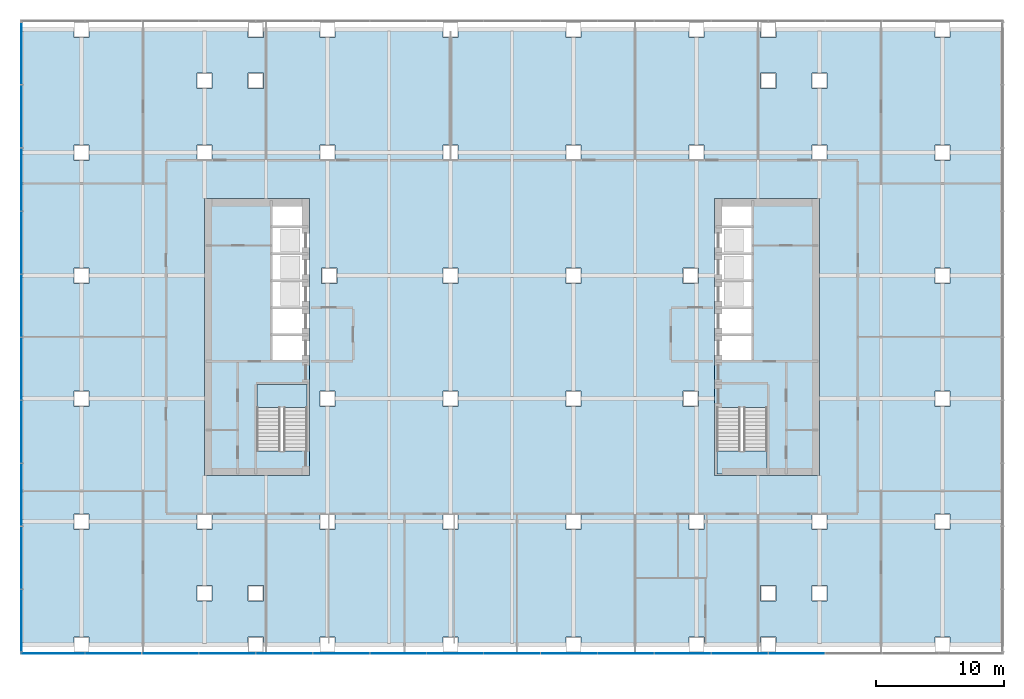
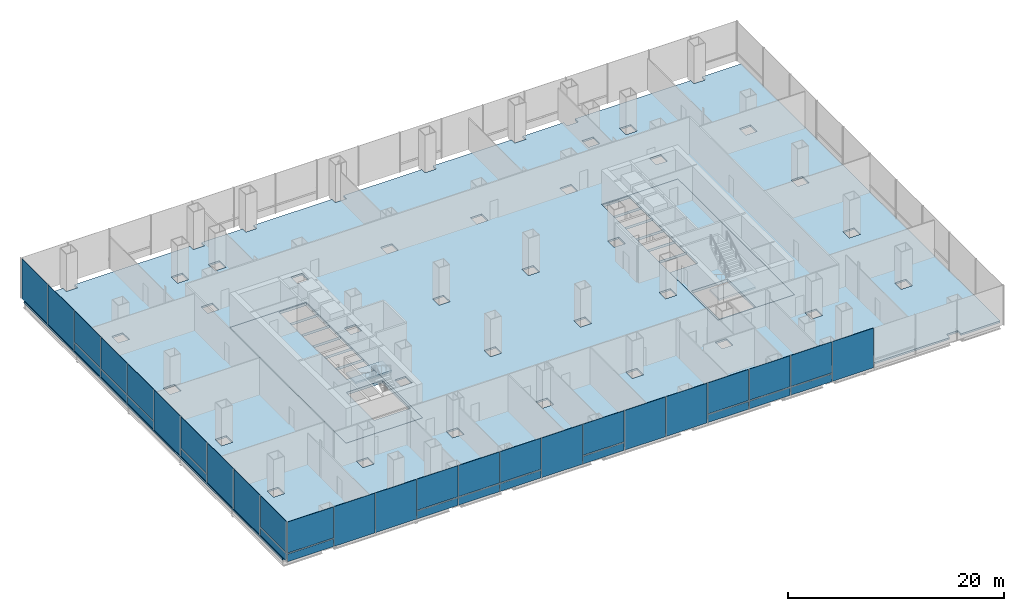
# One storey, part 14 of 23: 37 plates, 5 slabs, 4 elements without a shape of their own.
"""IFC4 building model written with IfcOpenShell, lengths in metres."""

from ifc_helpers import new_model, si_unit, direction, frame, origin, origin_2d, place, context, subcontext, project, spatial, polyline, rectangle, outline, extrude, material, layer, layer_set, type_object, element, aggregate, save


model = new_model("IFC4")

# Units and contexts
model_context = context("Model", 3, precision=1e-05, world=origin(), true_north=direction((0.0, 1.0)))
body_context = subcontext(model_context, "Body", "Model", "MODEL_VIEW")
ifc_project = project(units=[si_unit("LENGTHUNIT", "METRE"), si_unit("AREAUNIT", "SQUARE_METRE"), si_unit("VOLUMEUNIT", "CUBIC_METRE"), si_unit("PLANEANGLEUNIT", "RADIAN"), si_unit("MASSUNIT", "GRAM", prefix="KILO")], contexts=[model_context])

# Site, building, storey
site_placement = place(None, origin())
site = spatial("IfcSite", under=ifc_project, at=site_placement, CompositionType="ELEMENT")
building_placement = place(site_placement, origin())
building = spatial("IfcBuilding", under=site, at=building_placement, Name="Cobrizo Arcos Hotel Tower", CompositionType="ELEMENT")
storey_placement = place(building_placement, frame((0.0, 0.0, 29.0)))
storey = spatial("IfcBuildingStorey", under=building, at=storey_placement, Name="L05", CompositionType="ELEMENT", Elevation=29.0)

# Curtain wall, plates
ifc_material_1 = material(Name="Aluminium 6063-T6 anodised bronze", Category="aluminium")
curtain_wall_type_1 = type_object("IfcCurtainWallType", Name="CW-A guest facade", PredefinedType="NOTDEFINED", material=ifc_material_1)
curtain_wall_1_placement = place(storey_placement, origin())
curtain_wall_1 = element("IfcCurtainWall", 1, at=curtain_wall_1_placement, inside=storey, type_object=curtain_wall_type_1, Name="CW-A L05 S face", PredefinedType="NOTDEFINED")
ifc_material_2 = material(Name="Glass clear laminated low-e", Category="glass")
ifc_layer_1 = layer(ifc_material_2, 0.0400390625)
ifc_layer_set_1 = layer_set([ifc_layer_1], Name="CW-A glass panel")
plate_type_1 = type_object("IfcPlateType", Name="CW-A glass panel", PredefinedType="CURTAIN_PANEL", material=ifc_layer_set_1)
plate_1_placement = place(storey_placement, frame((-35.839111328125, -24.675048828125, 0.990234375), z_axis=(0.0, 0.0, 1.0), x_axis=(1.0, 0.0, 0.0)))
plate_1 = element("IfcPlate", 2, at=plate_1_placement, type_object=plate_type_1, Name="CW-A glass panel 306", PredefinedType="CURTAIN_PANEL", context=body_context, shape_type="SweptSolid", body=[
    extrude(rectangle(XDim=4.95166015625, YDim=0.0400390625, at=origin_2d()), origin(), (0.0, 0.0, 1.0), 3.510009765625),
])
plate_2_placement = place(storey_placement, frame((-22.22216796875, -24.675048828125, 0.990234375), z_axis=(0.0, 0.0, 1.0), x_axis=(1.0, 0.0, 0.0)))
plate_2 = element("IfcPlate", 3, at=plate_2_placement, type_object=plate_type_1, Name="CW-A glass panel 309", PredefinedType="CURTAIN_PANEL", context=body_context, shape_type="SweptSolid", body=[
    extrude(rectangle(XDim=4.384521484375, YDim=0.0400390625, at=origin_2d()), origin(), (0.0, 0.0, 1.0), 3.510009765625),
])
ifc_material_3 = material(Name="Aluminium composite panel pale metal", Category="aluminium")
ifc_layer_2 = layer(ifc_material_3, 0.0400390625)
ifc_layer_set_2 = layer_set([ifc_layer_2], Name="CW-A spandrel panel")
plate_type_2 = type_object("IfcPlateType", Name="CW-A spandrel panel", PredefinedType="CURTAIN_PANEL", material=ifc_layer_set_2)
plate_3_placement = place(storey_placement, frame((-35.839111328125, -24.675048828125, 0.0), z_axis=(0.0, 0.0, 1.0), x_axis=(1.0, 0.0, 0.0)))
plate_3 = element("IfcPlate", 4, at=plate_3_placement, type_object=plate_type_2, Name="CW-A spandrel panel 306", PredefinedType="CURTAIN_PANEL", context=body_context, shape_type="SweptSolid", body=[
    extrude(rectangle(XDim=4.95166015625, YDim=0.0400390625, at=origin_2d()), origin(), (0.0, 0.0, 1.0), 0.8701171875),
])
plate_4_placement = place(storey_placement, frame((-31.111083984375, -24.675048828125, 0.0), z_axis=(0.0, 0.0, 1.0), x_axis=(1.0, 0.0, 0.0)))
plate_4 = element("IfcPlate", 5, at=plate_4_placement, type_object=plate_type_2, Name="CW-A spandrel panel 307", PredefinedType="CURTAIN_PANEL", context=body_context, shape_type="SweptSolid", body=[
    extrude(rectangle(XDim=4.384521484375, YDim=0.0400390625, at=origin_2d()), origin(), (0.0, 0.0, 1.0), 4.5),
])
plate_5_placement = place(storey_placement, frame((-26.666748046875, -24.675048828125, 0.0), z_axis=(0.0, 0.0, 1.0), x_axis=(1.0, 0.0, 0.0)))
plate_5 = element("IfcPlate", 6, at=plate_5_placement, type_object=plate_type_2, Name="CW-A spandrel panel 308", PredefinedType="CURTAIN_PANEL", context=body_context, shape_type="SweptSolid", body=[
    extrude(rectangle(XDim=4.384521484375, YDim=0.0400390625, at=origin_2d()), origin(), (0.0, 0.0, 1.0), 4.5),
])
plate_6_placement = place(storey_placement, frame((-22.22216796875, -24.675048828125, 0.0), z_axis=(0.0, 0.0, 1.0), x_axis=(1.0, 0.0, 0.0)))
plate_6 = element("IfcPlate", 7, at=plate_6_placement, type_object=plate_type_2, Name="CW-A spandrel panel 309", PredefinedType="CURTAIN_PANEL", context=body_context, shape_type="SweptSolid", body=[
    extrude(rectangle(XDim=4.384521484375, YDim=0.0400390625, at=origin_2d()), origin(), (0.0, 0.0, 1.0), 0.8701171875),
])
plate_7_placement = place(storey_placement, frame((-17.77783203125, -24.675048828125, 0.0), z_axis=(0.0, 0.0, 1.0), x_axis=(1.0, 0.0, 0.0)))
plate_7 = element("IfcPlate", 8, at=plate_7_placement, type_object=plate_type_2, Name="CW-A spandrel panel 310", PredefinedType="CURTAIN_PANEL", context=body_context, shape_type="SweptSolid", body=[
    extrude(rectangle(XDim=4.384521484375, YDim=0.0400390625, at=origin_2d()), origin(), (0.0, 0.0, 1.0), 0.8701171875),
])
plate_8_placement = place(storey_placement, frame((-17.77783203125, -24.675048828125, 0.990234375), z_axis=(0.0, 0.0, 1.0), x_axis=(1.0, 0.0, 0.0)))
plate_8 = element("IfcPlate", 9, at=plate_8_placement, type_object=plate_type_2, Name="CW-A spandrel panel 310", PredefinedType="CURTAIN_PANEL", context=body_context, shape_type="SweptSolid", body=[
    extrude(rectangle(XDim=4.384521484375, YDim=0.0400390625, at=origin_2d()), origin(), (0.0, 0.0, 1.0), 3.510009765625),
])
plate_9_placement = place(storey_placement, frame((-13.333251953125, -24.675048828125, 0.0), z_axis=(0.0, 0.0, 1.0), x_axis=(1.0, 0.0, 0.0)))
plate_9 = element("IfcPlate", 10, at=plate_9_placement, type_object=plate_type_2, Name="CW-A spandrel panel 311", PredefinedType="CURTAIN_PANEL", context=body_context, shape_type="SweptSolid", body=[
    extrude(rectangle(XDim=4.384521484375, YDim=0.0400390625, at=origin_2d()), origin(), (0.0, 0.0, 1.0), 0.8701171875),
])
plate_10_placement = place(storey_placement, frame((-13.333251953125, -24.675048828125, 0.990234375), z_axis=(0.0, 0.0, 1.0), x_axis=(1.0, 0.0, 0.0)))
plate_10 = element("IfcPlate", 11, at=plate_10_placement, type_object=plate_type_2, Name="CW-A spandrel panel 311", PredefinedType="CURTAIN_PANEL", context=body_context, shape_type="SweptSolid", body=[
    extrude(rectangle(XDim=4.384521484375, YDim=0.0400390625, at=origin_2d()), origin(), (0.0, 0.0, 1.0), 3.510009765625),
])
plate_11_placement = place(storey_placement, frame((-8.888916015625, -24.675048828125, 0.0), z_axis=(0.0, 0.0, 1.0), x_axis=(1.0, 0.0, 0.0)))
plate_11 = element("IfcPlate", 12, at=plate_11_placement, type_object=plate_type_2, Name="CW-A spandrel panel 312", PredefinedType="CURTAIN_PANEL", context=body_context, shape_type="SweptSolid", body=[
    extrude(rectangle(XDim=4.384521484375, YDim=0.0400390625, at=origin_2d()), origin(), (0.0, 0.0, 1.0), 4.5),
])
plate_12_placement = place(storey_placement, frame((-4.4443359375, -24.675048828125, 0.0), z_axis=(0.0, 0.0, 1.0), x_axis=(1.0, 0.0, 0.0)))
plate_12 = element("IfcPlate", 13, at=plate_12_placement, type_object=plate_type_2, Name="CW-A spandrel panel 313", PredefinedType="CURTAIN_PANEL", context=body_context, shape_type="SweptSolid", body=[
    extrude(rectangle(XDim=4.384521484375, YDim=0.0400390625, at=origin_2d()), origin(), (0.0, 0.0, 1.0), 0.8701171875),
])
plate_13_placement = place(storey_placement, frame((-4.4443359375, -24.675048828125, 0.990234375), z_axis=(0.0, 0.0, 1.0), x_axis=(1.0, 0.0, 0.0)))
plate_13 = element("IfcPlate", 14, at=plate_13_placement, type_object=plate_type_2, Name="CW-A spandrel panel 313", PredefinedType="CURTAIN_PANEL", context=body_context, shape_type="SweptSolid", body=[
    extrude(rectangle(XDim=4.384521484375, YDim=0.0400390625, at=origin_2d()), origin(), (0.0, 0.0, 1.0), 3.510009765625),
])
plate_14_placement = place(storey_placement, frame((0.0, -24.675048828125, 0.0), z_axis=(0.0, 0.0, 1.0), x_axis=(1.0, 0.0, 0.0)))
plate_14 = element("IfcPlate", 15, at=plate_14_placement, type_object=plate_type_2, Name="CW-A spandrel panel 314", PredefinedType="CURTAIN_PANEL", context=body_context, shape_type="SweptSolid", body=[
    extrude(rectangle(XDim=4.384521484375, YDim=0.0400390625, at=origin_2d()), origin(), (0.0, 0.0, 1.0), 4.5),
])
plate_15_placement = place(storey_placement, frame((4.4443359375, -24.675048828125, 0.0), z_axis=(0.0, 0.0, 1.0), x_axis=(1.0, 0.0, 0.0)))
plate_15 = element("IfcPlate", 16, at=plate_15_placement, type_object=plate_type_2, Name="CW-A spandrel panel 315", PredefinedType="CURTAIN_PANEL", context=body_context, shape_type="SweptSolid", body=[
    extrude(rectangle(XDim=4.384521484375, YDim=0.0400390625, at=origin_2d()), origin(), (0.0, 0.0, 1.0), 4.5),
])
plate_16_placement = place(storey_placement, frame((8.888916015625, -24.675048828125, 0.0), z_axis=(0.0, 0.0, 1.0), x_axis=(1.0, 0.0, 0.0)))
plate_16 = element("IfcPlate", 17, at=plate_16_placement, type_object=plate_type_2, Name="CW-A spandrel panel 316", PredefinedType="CURTAIN_PANEL", context=body_context, shape_type="SweptSolid", body=[
    extrude(rectangle(XDim=4.384521484375, YDim=0.0400390625, at=origin_2d()), origin(), (0.0, 0.0, 1.0), 0.8701171875),
])
plate_17_placement = place(storey_placement, frame((8.888916015625, -24.675048828125, 0.990234375), z_axis=(0.0, 0.0, 1.0), x_axis=(1.0, 0.0, 0.0)))
plate_17 = element("IfcPlate", 18, at=plate_17_placement, type_object=plate_type_2, Name="CW-A spandrel panel 316", PredefinedType="CURTAIN_PANEL", context=body_context, shape_type="SweptSolid", body=[
    extrude(rectangle(XDim=4.384521484375, YDim=0.0400390625, at=origin_2d()), origin(), (0.0, 0.0, 1.0), 3.510009765625),
])
plate_18_placement = place(storey_placement, frame((13.333251953125, -24.675048828125, 0.0), z_axis=(0.0, 0.0, 1.0), x_axis=(1.0, 0.0, 0.0)))
plate_18 = element("IfcPlate", 19, at=plate_18_placement, type_object=plate_type_2, Name="CW-A spandrel panel 317", PredefinedType="CURTAIN_PANEL", context=body_context, shape_type="SweptSolid", body=[
    extrude(rectangle(XDim=4.384521484375, YDim=0.0400390625, at=origin_2d()), origin(), (0.0, 0.0, 1.0), 0.8701171875),
])
plate_19_placement = place(storey_placement, frame((13.333251953125, -24.675048828125, 0.990234375), z_axis=(0.0, 0.0, 1.0), x_axis=(1.0, 0.0, 0.0)))
plate_19 = element("IfcPlate", 20, at=plate_19_placement, type_object=plate_type_2, Name="CW-A spandrel panel 317", PredefinedType="CURTAIN_PANEL", context=body_context, shape_type="SweptSolid", body=[
    extrude(rectangle(XDim=4.384521484375, YDim=0.0400390625, at=origin_2d()), origin(), (0.0, 0.0, 1.0), 3.510009765625),
])
plate_20_placement = place(storey_placement, frame((17.77783203125, -24.675048828125, 0.0), z_axis=(0.0, 0.0, 1.0), x_axis=(1.0, 0.0, 0.0)))
plate_20 = element("IfcPlate", 21, at=plate_20_placement, type_object=plate_type_2, Name="CW-A spandrel panel 318", PredefinedType="CURTAIN_PANEL", context=body_context, shape_type="SweptSolid", body=[
    extrude(rectangle(XDim=4.384521484375, YDim=0.0400390625, at=origin_2d()), origin(), (0.0, 0.0, 1.0), 0.8701171875),
])
plate_21_placement = place(storey_placement, frame((17.77783203125, -24.675048828125, 0.990234375), z_axis=(0.0, 0.0, 1.0), x_axis=(1.0, 0.0, 0.0)))
plate_21 = element("IfcPlate", 22, at=plate_21_placement, type_object=plate_type_2, Name="CW-A spandrel panel 318", PredefinedType="CURTAIN_PANEL", context=body_context, shape_type="SweptSolid", body=[
    extrude(rectangle(XDim=4.384521484375, YDim=0.0400390625, at=origin_2d()), origin(), (0.0, 0.0, 1.0), 3.510009765625),
])
plate_22_placement = place(storey_placement, frame((22.22216796875, -24.675048828125, 0.0), z_axis=(0.0, 0.0, 1.0), x_axis=(1.0, 0.0, 0.0)))
plate_22 = element("IfcPlate", 23, at=plate_22_placement, type_object=plate_type_2, Name="CW-A spandrel panel 319", PredefinedType="CURTAIN_PANEL", context=body_context, shape_type="SweptSolid", body=[
    extrude(rectangle(XDim=4.384521484375, YDim=0.0400390625, at=origin_2d()), origin(), (0.0, 0.0, 1.0), 4.5),
])
aggregate(curtain_wall_1, [plate_3, plate_1, plate_4, plate_5, plate_6, plate_2, plate_7, plate_8, plate_9, plate_10, plate_11, plate_12, plate_13, plate_14, plate_15, plate_16, plate_17, plate_18, plate_19, plate_20, plate_21, plate_22])

curtain_wall_type_2 = type_object("IfcCurtainWallType", Name="CW-B podium glazing", PredefinedType="NOTDEFINED", material=ifc_material_1)
curtain_wall_2_placement = place(storey_placement, origin())
curtain_wall_2 = element("IfcCurtainWall", 24, at=curtain_wall_2_placement, inside=storey, type_object=curtain_wall_type_2, Name="CW-B L05 W face", PredefinedType="NOTDEFINED")
ifc_layer_3 = layer(ifc_material_2, 0.0400390625)
ifc_layer_set_3 = layer_set([ifc_layer_3], Name="CW-B glass panel")
plate_type_3 = type_object("IfcPlateType", Name="CW-B glass panel", PredefinedType="CURTAIN_PANEL", material=ifc_layer_set_3)
plate_23_placement = place(storey_placement, frame((-38.300048828125, 12.300048828125, 0.97998046875), z_axis=(0.0, 0.0, 1.0), x_axis=(0.0, -1.0, 0.0)))
plate_23 = element("IfcPlate", 25, at=plate_23_placement, type_object=plate_type_3, Name="CW-B glass panel 298", PredefinedType="CURTAIN_PANEL", context=body_context, shape_type="SweptSolid", body=[
    extrude(rectangle(XDim=4.840087890625, YDim=0.0400390625, at=origin_2d()), origin(), (0.0, 0.0, 1.0), 3.52001953125),
])
plate_24_placement = place(storey_placement, frame((-38.300048828125, 7.3798828125, 0.97998046875), z_axis=(0.0, 0.0, 1.0), x_axis=(0.0, -1.0, 0.0)))
plate_24 = element("IfcPlate", 26, at=plate_24_placement, type_object=plate_type_3, Name="CW-B glass panel 299", PredefinedType="CURTAIN_PANEL", context=body_context, shape_type="SweptSolid", body=[
    extrude(rectangle(XDim=4.840087890625, YDim=0.0400390625, at=origin_2d()), origin(), (0.0, 0.0, 1.0), 3.52001953125),
])
plate_25_placement = place(storey_placement, frame((-38.300048828125, 2.4599609375, 0.97998046875), z_axis=(0.0, 0.0, 1.0), x_axis=(0.0, -1.0, 0.0)))
plate_25 = element("IfcPlate", 27, at=plate_25_placement, type_object=plate_type_3, Name="CW-B glass panel 300", PredefinedType="CURTAIN_PANEL", context=body_context, shape_type="SweptSolid", body=[
    extrude(rectangle(XDim=4.840087890625, YDim=0.0400390625, at=origin_2d()), origin(), (0.0, 0.0, 1.0), 3.52001953125),
])
plate_26_placement = place(storey_placement, frame((-38.300048828125, -7.3798828125, 0.97998046875), z_axis=(0.0, 0.0, 1.0), x_axis=(0.0, -1.0, 0.0)))
plate_26 = element("IfcPlate", 28, at=plate_26_placement, type_object=plate_type_3, Name="CW-B glass panel 302", PredefinedType="CURTAIN_PANEL", context=body_context, shape_type="SweptSolid", body=[
    extrude(rectangle(XDim=4.840087890625, YDim=0.0400390625, at=origin_2d()), origin(), (0.0, 0.0, 1.0), 3.52001953125),
])
plate_27_placement = place(storey_placement, frame((-38.300048828125, -22.1201171875, 0.97998046875), z_axis=(0.0, 0.0, 1.0), x_axis=(0.0, -1.0, 0.0)))
plate_27 = element("IfcPlate", 29, at=plate_27_placement, type_object=plate_type_3, Name="CW-B glass panel 305", PredefinedType="CURTAIN_PANEL", context=body_context, shape_type="SweptSolid", body=[
    extrude(rectangle(XDim=4.800048828125, YDim=0.0400390625, at=origin_2d()), origin(), (0.0, 0.0, 1.0), 3.52001953125),
])
ifc_layer_4 = layer(ifc_material_3, 0.06005859375)
ifc_layer_set_4 = layer_set([ifc_layer_4], Name="CW-B spandrel panel")
plate_type_4 = type_object("IfcPlateType", Name="CW-B spandrel panel", PredefinedType="CURTAIN_PANEL", material=ifc_layer_set_4)
plate_28_placement = place(storey_placement, frame((-38.300048828125, 22.1201171875, 0.0), z_axis=(0.0, 0.0, 1.0), x_axis=(0.0, -1.0, 0.0)))
plate_28 = element("IfcPlate", 30, at=plate_28_placement, type_object=plate_type_4, Name="CW-B spandrel panel 296", PredefinedType="CURTAIN_PANEL", context=body_context, shape_type="SweptSolid", body=[
    extrude(rectangle(XDim=4.800048828125, YDim=0.0400390625, at=origin_2d()), origin(), (0.0, 0.0, 1.0), 4.5),
])
plate_29_placement = place(storey_placement, frame((-38.300048828125, 17.219970703125, 0.0), z_axis=(0.0, 0.0, 1.0), x_axis=(0.0, -1.0, 0.0)))
plate_29 = element("IfcPlate", 31, at=plate_29_placement, type_object=plate_type_4, Name="CW-B spandrel panel 297", PredefinedType="CURTAIN_PANEL", context=body_context, shape_type="SweptSolid", body=[
    extrude(rectangle(XDim=4.840087890625, YDim=0.0400390625, at=origin_2d()), origin(), (0.0, 0.0, 1.0), 4.5),
])
plate_30_placement = place(storey_placement, frame((-38.300048828125, 12.300048828125, 0.0), z_axis=(0.0, 0.0, 1.0), x_axis=(0.0, -1.0, 0.0)))
plate_30 = element("IfcPlate", 32, at=plate_30_placement, type_object=plate_type_4, Name="CW-B spandrel panel 298", PredefinedType="CURTAIN_PANEL", context=body_context, shape_type="SweptSolid", body=[
    extrude(rectangle(XDim=4.840087890625, YDim=0.0400390625, at=origin_2d()), origin(), (0.0, 0.0, 1.0), 0.820068359375),
])
plate_31_placement = place(storey_placement, frame((-38.300048828125, 7.3798828125, 0.0), z_axis=(0.0, 0.0, 1.0), x_axis=(0.0, -1.0, 0.0)))
plate_31 = element("IfcPlate", 33, at=plate_31_placement, type_object=plate_type_4, Name="CW-B spandrel panel 299", PredefinedType="CURTAIN_PANEL", context=body_context, shape_type="SweptSolid", body=[
    extrude(rectangle(XDim=4.840087890625, YDim=0.0400390625, at=origin_2d()), origin(), (0.0, 0.0, 1.0), 0.820068359375),
])
plate_32_placement = place(storey_placement, frame((-38.300048828125, 2.4599609375, 0.0), z_axis=(0.0, 0.0, 1.0), x_axis=(0.0, -1.0, 0.0)))
plate_32 = element("IfcPlate", 34, at=plate_32_placement, type_object=plate_type_4, Name="CW-B spandrel panel 300", PredefinedType="CURTAIN_PANEL", context=body_context, shape_type="SweptSolid", body=[
    extrude(rectangle(XDim=4.840087890625, YDim=0.0400390625, at=origin_2d()), origin(), (0.0, 0.0, 1.0), 0.820068359375),
])
plate_33_placement = place(storey_placement, frame((-38.300048828125, -2.4599609375, 0.0), z_axis=(0.0, 0.0, 1.0), x_axis=(0.0, -1.0, 0.0)))
plate_33 = element("IfcPlate", 35, at=plate_33_placement, type_object=plate_type_4, Name="CW-B spandrel panel 301", PredefinedType="CURTAIN_PANEL", context=body_context, shape_type="SweptSolid", body=[
    extrude(rectangle(XDim=4.840087890625, YDim=0.0400390625, at=origin_2d()), origin(), (0.0, 0.0, 1.0), 4.5),
])
plate_34_placement = place(storey_placement, frame((-38.300048828125, -7.3798828125, 0.0), z_axis=(0.0, 0.0, 1.0), x_axis=(0.0, -1.0, 0.0)))
plate_34 = element("IfcPlate", 36, at=plate_34_placement, type_object=plate_type_4, Name="CW-B spandrel panel 302", PredefinedType="CURTAIN_PANEL", context=body_context, shape_type="SweptSolid", body=[
    extrude(rectangle(XDim=4.840087890625, YDim=0.0400390625, at=origin_2d()), origin(), (0.0, 0.0, 1.0), 0.820068359375),
])
plate_35_placement = place(storey_placement, frame((-38.300048828125, -12.300048828125, 0.0), z_axis=(0.0, 0.0, 1.0), x_axis=(0.0, -1.0, 0.0)))
plate_35 = element("IfcPlate", 37, at=plate_35_placement, type_object=plate_type_4, Name="CW-B spandrel panel 303", PredefinedType="CURTAIN_PANEL", context=body_context, shape_type="SweptSolid", body=[
    extrude(rectangle(XDim=4.840087890625, YDim=0.0400390625, at=origin_2d()), origin(), (0.0, 0.0, 1.0), 4.5),
])
plate_36_placement = place(storey_placement, frame((-38.300048828125, -17.219970703125, 0.0), z_axis=(0.0, 0.0, 1.0), x_axis=(0.0, -1.0, 0.0)))
plate_36 = element("IfcPlate", 38, at=plate_36_placement, type_object=plate_type_4, Name="CW-B spandrel panel 304", PredefinedType="CURTAIN_PANEL", context=body_context, shape_type="SweptSolid", body=[
    extrude(rectangle(XDim=4.840087890625, YDim=0.0400390625, at=origin_2d()), origin(), (0.0, 0.0, 1.0), 4.5),
])
plate_37_placement = place(storey_placement, frame((-38.300048828125, -22.1201171875, 0.0), z_axis=(0.0, 0.0, 1.0), x_axis=(0.0, -1.0, 0.0)))
plate_37 = element("IfcPlate", 39, at=plate_37_placement, type_object=plate_type_4, Name="CW-B spandrel panel 305", PredefinedType="CURTAIN_PANEL", context=body_context, shape_type="SweptSolid", body=[
    extrude(rectangle(XDim=4.800048828125, YDim=0.0400390625, at=origin_2d()), origin(), (0.0, 0.0, 1.0), 0.820068359375),
])
aggregate(curtain_wall_2, [plate_28, plate_29, plate_30, plate_23, plate_31, plate_24, plate_32, plate_25, plate_33, plate_34, plate_26, plate_35, plate_36, plate_37, plate_27])

# Slabs
ifc_material_4 = material(Name="Concrete f'c 35 MPa", Category="concrete")
ifc_layer_5 = layer(ifc_material_4, 0.199951171875)
ifc_layer_set_5 = layer_set([ifc_layer_5], Name="Composite floor slab 200 f'c 35")
slab_type_1 = type_object("IfcSlabType", Name="Composite floor slab 200 f'c 35", PredefinedType="FLOOR", material=ifc_layer_set_5)
slab_1_placement = place(storey_placement, frame((0.0, 0.0, -0.199951171875)))
element("IfcSlab", 40, at=slab_1_placement, inside=storey, type_object=slab_type_1, Name="Floor slab S4, L05, no. 01", PredefinedType="FLOOR", context=body_context, shape_type="SweptSolid", body=[
    extrude(outline(polyline([(38.39990234375, 24.0), (38.39990234375, -24.0), (34.199951171875, -24.0), (34.199951171875, -23.39990234375), (33.0, -23.39990234375), (33.0, -24.0), (20.60009765625, -24.0), (20.60009765625, -23.39990234375), (19.39990234375, -23.39990234375), (19.39990234375, -24.0), (15.0, -24.0), (15.0, -23.39990234375), (13.800048828125, -23.39990234375), (13.800048828125, -24.0), (5.39990234375, -24.0), (5.39990234375, -23.39990234375), (4.199951171875, -23.39990234375), (4.199951171875, -24.0), (-4.199951171875, -24.0), (-4.199951171875, -23.39990234375), (-5.39990234375, -23.39990234375), (-5.39990234375, -24.0), (-13.800048828125, -24.0), (-13.800048828125, -23.39990234375), (-15.0, -23.39990234375), (-15.0, -24.0), (-19.39990234375, -24.0), (-19.39990234375, -23.39990234375), (-20.60009765625, -23.39990234375), (-20.60009765625, -24.0), (-33.0, -24.0), (-33.0, -23.39990234375), (-34.199951171875, -23.39990234375), (-34.199951171875, -24.0), (-38.39990234375, -24.0), (-38.39990234375, 24.0), (-34.199951171875, 24.0), (-34.199951171875, 23.39990234375), (-33.0, 23.39990234375), (-33.0, 24.0), (-20.60009765625, 24.0), (-20.60009765625, 23.39990234375), (-19.39990234375, 23.39990234375), (-19.39990234375, 24.0), (-15.0, 24.0), (-15.0, 23.39990234375), (-13.800048828125, 23.39990234375), (-13.800048828125, 24.0), (-5.39990234375, 24.0), (-5.39990234375, 23.39990234375), (-4.199951171875, 23.39990234375), (-4.199951171875, 24.0), (4.199951171875, 24.0), (4.199951171875, 23.39990234375), (5.39990234375, 23.39990234375), (5.39990234375, 24.0), (13.800048828125, 24.0), (13.800048828125, 23.39990234375), (15.0, 23.39990234375), (15.0, 24.0), (19.39990234375, 24.0), (19.39990234375, 23.39990234375), (20.60009765625, 23.39990234375), (20.60009765625, 24.0), (33.0, 24.0), (33.0, 23.39990234375), (34.199951171875, 23.39990234375), (34.199951171875, 24.0), (38.39990234375, 24.0)]), holes=[polyline([(-20.60009765625, -20.60009765625), (-19.39990234375, -20.60009765625), (-19.39990234375, -19.39990234375), (-20.60009765625, -19.39990234375), (-20.60009765625, -20.60009765625)]), polyline([(-23.39990234375, -20.60009765625), (-23.39990234375, -19.39990234375), (-24.60009765625, -19.39990234375), (-24.60009765625, -20.60009765625), (-23.39990234375, -20.60009765625)]), polyline([(-34.199951171875, -15.0), (-33.0, -15.0), (-33.0, -13.800048828125), (-34.199951171875, -13.800048828125), (-34.199951171875, -15.0)]), polyline([(-15.0, -15.0), (-13.800048828125, -15.0), (-13.800048828125, -13.800048828125), (-15.0, -13.800048828125), (-15.0, -15.0)]), polyline([(-23.39990234375, -15.0), (-23.39990234375, -13.800048828125), (-24.60009765625, -13.800048828125), (-24.60009765625, -15.0), (-23.39990234375, -15.0)]), polyline([(-15.0, -5.39990234375), (-13.800048828125, -5.39990234375), (-13.800048828125, -4.199951171875), (-15.0, -4.199951171875), (-15.0, -5.39990234375)]), polyline([(-34.199951171875, -5.39990234375), (-33.0, -5.39990234375), (-33.0, -4.199951171875), (-34.199951171875, -4.199951171875), (-34.199951171875, -5.39990234375)]), polyline([(-24.0, -10.800048828125), (-15.800048828125, -10.800048828125), (-15.800048828125, 10.800048828125), (-24.0, 10.800048828125), (-24.0, -10.800048828125)]), polyline([(-34.199951171875, 4.199951171875), (-33.0, 4.199951171875), (-33.0, 5.39990234375), (-34.199951171875, 5.39990234375), (-34.199951171875, 4.199951171875)]), polyline([(-24.60009765625, 13.800048828125), (-23.39990234375, 13.800048828125), (-23.39990234375, 15.0), (-24.60009765625, 15.0), (-24.60009765625, 13.800048828125)]), polyline([(-34.199951171875, 13.800048828125), (-33.0, 13.800048828125), (-33.0, 15.0), (-34.199951171875, 15.0), (-34.199951171875, 13.800048828125)]), polyline([(-13.800048828125, 13.800048828125), (-13.800048828125, 15.0), (-15.0, 15.0), (-15.0, 13.800048828125), (-13.800048828125, 13.800048828125)]), polyline([(-24.60009765625, 19.39990234375), (-23.39990234375, 19.39990234375), (-23.39990234375, 20.60009765625), (-24.60009765625, 20.60009765625), (-24.60009765625, 19.39990234375)]), polyline([(-20.60009765625, 19.39990234375), (-19.39990234375, 19.39990234375), (-19.39990234375, 20.60009765625), (-20.60009765625, 20.60009765625), (-20.60009765625, 19.39990234375)]), polyline([(13.800048828125, -15.0), (15.0, -15.0), (15.0, -13.800048828125), (13.800048828125, -13.800048828125), (13.800048828125, -15.0)]), polyline([(4.199951171875, -15.0), (5.39990234375, -15.0), (5.39990234375, -13.800048828125), (4.199951171875, -13.800048828125), (4.199951171875, -15.0)]), polyline([(-5.39990234375, -15.0), (-4.199951171875, -15.0), (-4.199951171875, -13.800048828125), (-5.39990234375, -13.800048828125), (-5.39990234375, -15.0)]), polyline([(-5.39990234375, -5.39990234375), (-4.199951171875, -5.39990234375), (-4.199951171875, -4.199951171875), (-5.39990234375, -4.199951171875), (-5.39990234375, -5.39990234375)]), polyline([(4.199951171875, -5.39990234375), (5.39990234375, -5.39990234375), (5.39990234375, -4.199951171875), (4.199951171875, -4.199951171875), (4.199951171875, -5.39990234375)]), polyline([(13.340087890625, -5.39990234375), (14.5400390625, -5.39990234375), (14.5400390625, -4.199951171875), (13.340087890625, -4.199951171875), (13.340087890625, -5.39990234375)]), polyline([(-4.199951171875, 4.199951171875), (-4.199951171875, 5.39990234375), (-5.39990234375, 5.39990234375), (-5.39990234375, 4.199951171875), (-4.199951171875, 4.199951171875)]), polyline([(4.199951171875, 4.199951171875), (5.39990234375, 4.199951171875), (5.39990234375, 5.39990234375), (4.199951171875, 5.39990234375), (4.199951171875, 4.199951171875)]), polyline([(-14.85009765625, 4.199951171875), (-13.64990234375, 4.199951171875), (-13.64990234375, 5.39990234375), (-14.85009765625, 5.39990234375), (-14.85009765625, 4.199951171875)]), polyline([(14.5400390625, 4.199951171875), (14.5400390625, 5.39990234375), (13.340087890625, 5.39990234375), (13.340087890625, 4.199951171875), (14.5400390625, 4.199951171875)]), polyline([(-5.39990234375, 13.800048828125), (-4.199951171875, 13.800048828125), (-4.199951171875, 15.0), (-5.39990234375, 15.0), (-5.39990234375, 13.800048828125)]), polyline([(4.199951171875, 13.800048828125), (5.39990234375, 13.800048828125), (5.39990234375, 15.0), (4.199951171875, 15.0), (4.199951171875, 13.800048828125)]), polyline([(23.39990234375, -20.60009765625), (24.60009765625, -20.60009765625), (24.60009765625, -19.39990234375), (23.39990234375, -19.39990234375), (23.39990234375, -20.60009765625)]), polyline([(20.60009765625, -20.60009765625), (20.60009765625, -19.39990234375), (19.39990234375, -19.39990234375), (19.39990234375, -20.60009765625), (20.60009765625, -20.60009765625)]), polyline([(23.39990234375, -15.0), (24.60009765625, -15.0), (24.60009765625, -13.800048828125), (23.39990234375, -13.800048828125), (23.39990234375, -15.0)]), polyline([(33.0, -15.0), (34.199951171875, -15.0), (34.199951171875, -13.800048828125), (33.0, -13.800048828125), (33.0, -15.0)]), polyline([(33.0, -5.39990234375), (34.199951171875, -5.39990234375), (34.199951171875, -4.199951171875), (33.0, -4.199951171875), (33.0, -5.39990234375)]), polyline([(15.800048828125, -10.800048828125), (24.0, -10.800048828125), (24.0, 10.800048828125), (15.800048828125, 10.800048828125), (15.800048828125, -10.800048828125)]), polyline([(33.0, 4.199951171875), (34.199951171875, 4.199951171875), (34.199951171875, 5.39990234375), (33.0, 5.39990234375), (33.0, 4.199951171875)]), polyline([(13.800048828125, 13.800048828125), (15.0, 13.800048828125), (15.0, 15.0), (13.800048828125, 15.0), (13.800048828125, 13.800048828125)]), polyline([(24.60009765625, 13.800048828125), (24.60009765625, 15.0), (23.39990234375, 15.0), (23.39990234375, 13.800048828125), (24.60009765625, 13.800048828125)]), polyline([(33.0, 13.800048828125), (34.199951171875, 13.800048828125), (34.199951171875, 15.0), (33.0, 15.0), (33.0, 13.800048828125)]), polyline([(19.39990234375, 19.39990234375), (20.60009765625, 19.39990234375), (20.60009765625, 20.60009765625), (19.39990234375, 20.60009765625), (19.39990234375, 19.39990234375)]), polyline([(23.39990234375, 19.39990234375), (24.60009765625, 19.39990234375), (24.60009765625, 20.60009765625), (23.39990234375, 20.60009765625), (23.39990234375, 19.39990234375)])]), origin(), (0.0, 0.0, 1.0), 0.199951171875),
])
ifc_material_5 = material(Name="Concrete f'c 60 MPa", Category="concrete")
ifc_layer_6 = layer(ifc_material_5, 0.300048828125)
ifc_layer_set_6 = layer_set([ifc_layer_6], Name="RC core floor slab 300 f'c 60")
slab_type_2 = type_object("IfcSlabType", Name="RC core floor slab 300 f'c 60", PredefinedType="FLOOR", material=ifc_layer_set_6)
slab_2_placement = place(storey_placement, frame((0.0, 0.0, -0.300048828125)))
element("IfcSlab", 41, at=slab_2_placement, inside=storey, type_object=slab_type_2, Name="Core floor slab CS2, east core, L05", PredefinedType="FLOOR", context=body_context, shape_type="SweptSolid", body=[
    extrude(outline(polyline([(15.800048828125, 10.800048828125), (24.0, 10.800048828125), (24.0, -10.800048828125), (15.800048828125, -10.800048828125), (15.800048828125, 10.800048828125)]), holes=[polyline([(19.89794921875, -10.697998046875), (19.89794921875, -5.501953125), (16.001953125, -5.501953125), (16.001953125, -10.697998046875), (19.89794921875, -10.697998046875)]), polyline([(15.802001953125, 0.197998046875), (15.802001953125, -1.89794921875), (18.798095703125, -1.89794921875), (18.798095703125, 0.197998046875), (15.802001953125, 0.197998046875)]), polyline([(18.798095703125, 2.298095703125), (15.802001953125, 2.298095703125), (15.802001953125, 0.201904296875), (18.798095703125, 0.201904296875), (18.798095703125, 2.298095703125)]), polyline([(18.798095703125, 4.39794921875), (15.802001953125, 4.39794921875), (15.802001953125, 2.302001953125), (18.798095703125, 2.302001953125), (18.798095703125, 4.39794921875)]), polyline([(15.802001953125, 6.498046875), (15.802001953125, 4.402099609375), (18.798095703125, 4.402099609375), (18.798095703125, 6.498046875), (15.802001953125, 6.498046875)]), polyline([(18.798095703125, 8.597900390625), (15.802001953125, 8.597900390625), (15.802001953125, 6.501953125), (18.798095703125, 6.501953125), (18.798095703125, 8.597900390625)]), polyline([(18.798095703125, 10.697998046875), (15.802001953125, 10.697998046875), (15.802001953125, 8.60205078125), (18.798095703125, 8.60205078125), (18.798095703125, 10.697998046875)])]), origin(), (0.0, 0.0, 1.0), 0.300048828125),
])
slab_3_placement = place(storey_placement, frame((0.0, 0.0, -0.300048828125)))
element("IfcSlab", 42, at=slab_3_placement, inside=storey, type_object=slab_type_2, Name="Core floor slab CS2, west core, L05", PredefinedType="FLOOR", context=body_context, shape_type="SweptSolid", body=[
    extrude(outline(polyline([(-24.0, 10.800048828125), (-15.800048828125, 10.800048828125), (-15.800048828125, -10.800048828125), (-24.0, -10.800048828125), (-24.0, 10.800048828125)]), holes=[polyline([(-19.89794921875, -3.701904296875), (-19.89794921875, -8.89794921875), (-16.001953125, -8.89794921875), (-16.001953125, -3.701904296875), (-19.89794921875, -3.701904296875)]), polyline([(-18.798095703125, 0.197998046875), (-18.798095703125, -1.89794921875), (-15.802001953125, -1.89794921875), (-15.802001953125, 0.197998046875), (-18.798095703125, 0.197998046875)]), polyline([(-15.802001953125, 2.298095703125), (-18.798095703125, 2.298095703125), (-18.798095703125, 0.201904296875), (-15.802001953125, 0.201904296875), (-15.802001953125, 2.298095703125)]), polyline([(-15.802001953125, 4.39794921875), (-18.798095703125, 4.39794921875), (-18.798095703125, 2.302001953125), (-15.802001953125, 2.302001953125), (-15.802001953125, 4.39794921875)]), polyline([(-18.798095703125, 6.498046875), (-18.798095703125, 4.402099609375), (-15.802001953125, 4.402099609375), (-15.802001953125, 6.498046875), (-18.798095703125, 6.498046875)]), polyline([(-15.802001953125, 8.597900390625), (-18.798095703125, 8.597900390625), (-18.798095703125, 6.501953125), (-15.802001953125, 6.501953125), (-15.802001953125, 8.597900390625)]), polyline([(-15.802001953125, 10.697998046875), (-18.798095703125, 10.697998046875), (-18.798095703125, 8.60205078125), (-15.802001953125, 8.60205078125), (-15.802001953125, 10.697998046875)])]), origin(), (0.0, 0.0, 1.0), 0.300048828125),
])

# Stair, slab
ifc_material_6 = material(Name="Concrete f'c 40 MPa", Category="concrete")
stair_type = type_object("IfcStairType", Name="Exit stair", PredefinedType="HALF_TURN_STAIR", material=ifc_material_6)
stair_1_placement = place(storey_placement, origin())
stair_1 = element("IfcStair", 43, at=stair_1_placement, inside=storey, type_object=stair_type, Name="L05 Exit stair ST-W", PredefinedType="HALF_TURN_STAIR")
ifc_layer_7 = layer(ifc_material_6, 0.199951171875)
ifc_layer_set_7 = layer_set([ifc_layer_7], Name="Stair landing")
slab_type_3 = type_object("IfcSlabType", Name="Stair landing", PredefinedType="LANDING", material=ifc_layer_set_7)
slab_4_placement = place(storey_placement, frame((0.0, 0.0, 2.050048828125)))
slab_4 = element("IfcSlab", 44, at=slab_4_placement, type_object=slab_type_3, Name="ST-W landing 1", PredefinedType="LANDING", context=body_context, shape_type="SweptSolid", body=[
    extrude(outline(polyline([(-16.0, -5.5), (-16.0, -3.699951171875), (-19.89990234375, -3.699951171875), (-19.89990234375, -5.5), (-16.0, -5.5)])), origin(), (0.0, 0.0, 1.0), 0.199951171875),
])
aggregate(stair_1, [slab_4])

stair_2_placement = place(storey_placement, origin())
stair_2 = element("IfcStair", 45, at=stair_2_placement, inside=storey, type_object=stair_type, Name="L05 Exit stair ST-E", PredefinedType="HALF_TURN_STAIR")
slab_5_placement = place(storey_placement, frame((0.0, 0.0, 2.050048828125)))
slab_5 = element("IfcSlab", 46, at=slab_5_placement, type_object=slab_type_3, Name="ST-E landing 1", PredefinedType="LANDING", context=body_context, shape_type="SweptSolid", body=[
    extrude(outline(polyline([(16.0, -8.89990234375), (16.0, -10.699951171875), (19.89990234375, -10.699951171875), (19.89990234375, -8.89990234375), (16.0, -8.89990234375)])), origin(), (0.0, 0.0, 1.0), 0.199951171875),
])
aggregate(stair_2, [slab_5])

save(model, "model.ifc")
